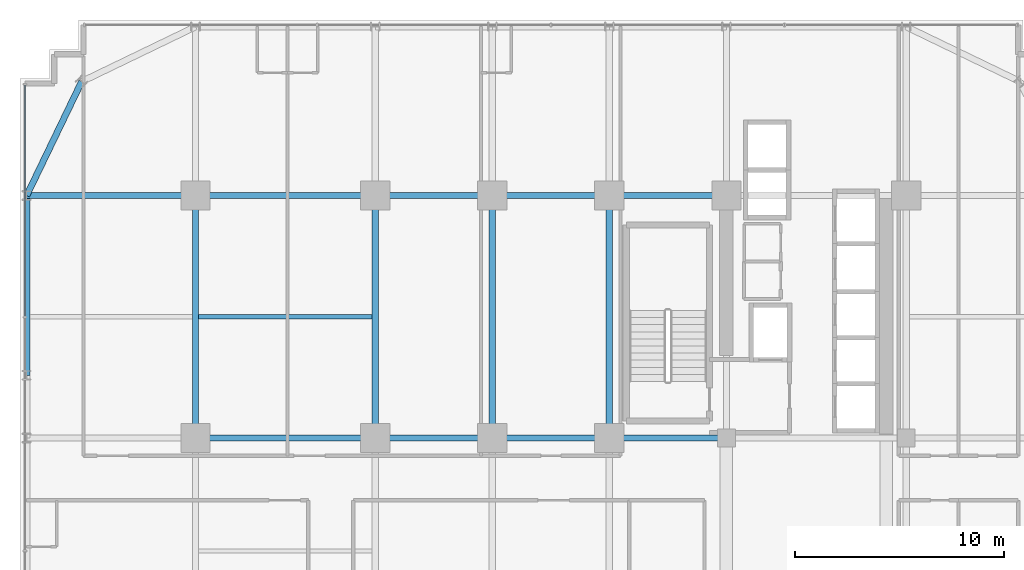
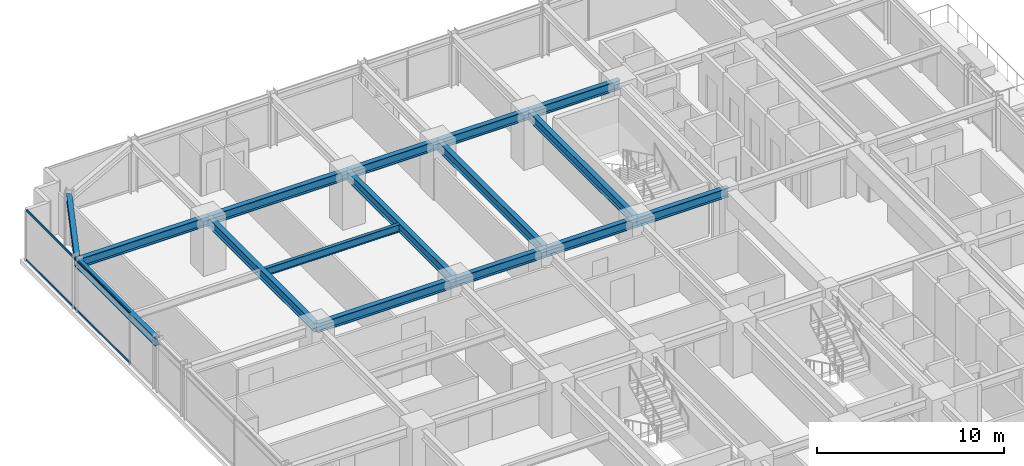
# One storey, part 19 of 36: 16 beams, 2 members, 1 element without a shape of its own.
"""IFC4 building model written with IfcOpenShell, lengths in metres."""

from ifc_helpers import new_model, si_unit, direction, frame, origin, origin_2d, place, context, subcontext, project, spatial, hollow_rectangle, i_section, extrude, source, transform, mapped, material, material_profile, profile_set, type_object, element, aggregate, save


model = new_model("IFC4")

# Units and contexts
model_context = context("Model", 3, precision=1e-05, world=origin(), true_north=direction((0.0, 1.0)))
body_context = subcontext(model_context, "Body", "Model", "MODEL_VIEW")
ifc_project = project(units=[si_unit("LENGTHUNIT", "METRE"), si_unit("AREAUNIT", "SQUARE_METRE"), si_unit("VOLUMEUNIT", "CUBIC_METRE"), si_unit("PLANEANGLEUNIT", "RADIAN"), si_unit("MASSUNIT", "GRAM", prefix="KILO")], contexts=[model_context])

# Site, building, storey
site_placement = place(None, origin())
site = spatial("IfcSite", under=ifc_project, at=site_placement, CompositionType="ELEMENT")
building_placement = place(site_placement, origin())
building = spatial("IfcBuilding", under=site, at=building_placement, Name="Nahalor Promenade Grand Hotel", CompositionType="ELEMENT")
storey_placement = place(building_placement, frame((0.0, 0.0, 72.550048828125)))
storey = spatial("IfcBuildingStorey", under=building, at=storey_placement, Name="L17", CompositionType="ELEMENT", Elevation=72.550048828125)

# Beams
ifc_material_1 = material(Name="Steel S355JR", Category="steel")
ifc_material_profile_1 = material_profile(ifc_material_1, i_section(OverallWidth=0.3, OverallDepth=0.6, WebThickness=0.0155, FlangeThickness=0.03, at=origin_2d()), Name="HEB 600")
ifc_profile_set_1 = profile_set([ifc_material_profile_1], Name="Steel S355JR")
beam_type_1 = type_object("IfcBeamType", Name="Beam-Girder-HEB600", PredefinedType="BEAM", material=ifc_profile_set_1)
shared_shape_1 = source(origin(), body_context, "Body", "SweptSolid", [
    extrude(i_section(OverallWidth=0.3, OverallDepth=0.6, WebThickness=0.0155, FlangeThickness=0.03, at=origin_2d()), origin(), (0.0, 0.0, 1.0), 8.60009765625),
])
for number, where, z_axis, x_axis, name in (
    (1, (-17.0, 5.39990234375, 3.070068359375), (1.0, 0.0, 0.0), (0.0, 1.0, 0.0), "BM-L17-GX-2-1"),
    (2, (-17.0, 17.0, 3.070068359375), (1.0, 0.0, 0.0), (0.0, 1.0, 0.0), "BM-L17-GX-3-1"),
):
    element("IfcBeam", number, at=place(storey_placement, frame(where, z_axis=z_axis, x_axis=x_axis)), inside=storey, type_object=beam_type_1, Name=name, PredefinedType="BEAM", context=body_context, shape_type="MappedRepresentation", body=[
        mapped(shared_shape_1, transform((0.0, 0.0, 0.0), scale=1.0)),
    ])
shared_shape_2 = source(origin(), body_context, "Body", "SweptSolid", [
    extrude(i_section(OverallWidth=0.3, OverallDepth=0.6, WebThickness=0.0155, FlangeThickness=0.03, at=origin_2d()), origin(), (0.0, 0.0, 1.0), 5.599853515625),
])
for number, where, z_axis, x_axis, name in (
    (3, (-8.39990234375, 5.39990234375, 3.070068359375), (1.0, 0.0, 0.0), (0.0, 1.0, 0.0), "BM-L17-GX-2-2"),
    (4, (2.800048828125, 5.39990234375, 3.070068359375), (1.0, 0.0, 0.0), (0.0, 1.0, 0.0), "BM-L17-GX-2-4"),
    (5, (-8.39990234375, 17.0, 3.070068359375), (1.0, 0.0, 0.0), (0.0, 1.0, 0.0), "BM-L17-GX-3-2"),
    (6, (2.800048828125, 17.0, 3.070068359375), (1.0, 0.0, 0.0), (0.0, 1.0, 0.0), "BM-L17-GX-3-4"),
):
    element("IfcBeam", number, at=place(storey_placement, frame(where, z_axis=z_axis, x_axis=x_axis)), inside=storey, type_object=beam_type_1, Name=name, PredefinedType="BEAM", context=body_context, shape_type="MappedRepresentation", body=[
        mapped(shared_shape_2, transform((0.0, 0.0, 0.0), scale=1.0)),
    ])
shared_shape_3 = source(origin(), body_context, "Body", "SweptSolid", [
    extrude(i_section(OverallWidth=0.3, OverallDepth=0.6, WebThickness=0.0155, FlangeThickness=0.03, at=origin_2d()), origin(), (0.0, 0.0, 1.0), 5.60009765625),
])
for number, where, z_axis, x_axis, name in (
    (7, (-2.800048828125, 5.39990234375, 3.070068359375), (1.0, 0.0, 0.0), (0.0, 1.0, 0.0), "BM-L17-GX-2-3"),
    (8, (-2.800048828125, 17.0, 3.070068359375), (1.0, 0.0, 0.0), (0.0, 1.0, 0.0), "BM-L17-GX-3-3"),
):
    element("IfcBeam", number, at=place(storey_placement, frame(where, z_axis=z_axis, x_axis=x_axis)), inside=storey, type_object=beam_type_1, Name=name, PredefinedType="BEAM", context=body_context, shape_type="MappedRepresentation", body=[
        mapped(shared_shape_3, transform((0.0, 0.0, 0.0), scale=1.0)),
    ])
shared_shape_4 = source(origin(), body_context, "Body", "SweptSolid", [
    extrude(i_section(OverallWidth=0.3, OverallDepth=0.6, WebThickness=0.0155, FlangeThickness=0.03, at=origin_2d()), origin(), (0.0, 0.0, 1.0), 11.60009765625),
])
for number, where, z_axis, x_axis, name in (
    (9, (-17.0, 5.39990234375, 3.070068359375), (0.0, 1.0, 0.0), (-1.0, 0.0, 0.0), "BM-L17-GY-0-3"),
    (10, (-8.39990234375, 5.39990234375, 3.070068359375), (0.0, 1.0, 0.0), (-1.0, 0.0, 0.0), "BM-L17-GY-1-3"),
    (11, (-2.800048828125, 5.39990234375, 3.070068359375), (0.0, 1.0, 0.0), (-1.0, 0.0, 0.0), "BM-L17-GY-2-3"),
    (12, (2.800048828125, 5.39990234375, 3.070068359375), (0.0, 1.0, 0.0), (-1.0, 0.0, 0.0), "BM-L17-GY-3-3"),
):
    element("IfcBeam", number, at=place(storey_placement, frame(where, z_axis=z_axis, x_axis=x_axis)), inside=storey, type_object=beam_type_1, Name=name, PredefinedType="BEAM", context=body_context, shape_type="MappedRepresentation", body=[
        mapped(shared_shape_4, transform((0.0, 0.0, 0.0), scale=1.0)),
    ])
ifc_material_profile_2 = material_profile(ifc_material_1, i_section(OverallWidth=0.3, OverallDepth=0.5, WebThickness=0.0145, FlangeThickness=0.028, at=origin_2d()), Name="HEB 500")
ifc_profile_set_2 = profile_set([ifc_material_profile_2], Name="Steel S355JR")
beam_type_2 = type_object("IfcBeamType", Name="Beam-Spandrel-HEB500", PredefinedType="SPANDREL", material=ifc_profile_set_2)
shared_shape_5 = source(origin(), body_context, "Body", "SweptSolid", [
    extrude(i_section(OverallWidth=0.3, OverallDepth=0.5, WebThickness=0.0145, FlangeThickness=0.028, at=origin_2d()), origin(), (0.0, 0.0, 1.0), 8.60009765625),
])
beam_1_placement = place(storey_placement, frame((-25.080078125, 8.39990234375, 3.119873046875), z_axis=(0.0, 1.0, 0.0), x_axis=(-1.0, 0.0, 0.0)))
element("IfcBeam", 13, at=beam_1_placement, inside=storey, type_object=beam_type_2, Name="BM-L17-SP-W-4", PredefinedType="SPANDREL", context=body_context, shape_type="MappedRepresentation", body=[
    mapped(shared_shape_5, transform((0.0, 0.0, 0.0), scale=1.0)),
])
ifc_material_profile_3 = material_profile(ifc_material_1, i_section(OverallWidth=0.2, OverallDepth=0.5, WebThickness=0.0102, FlangeThickness=0.016, at=origin_2d()), Name="IPE 500")
ifc_profile_set_3 = profile_set([ifc_material_profile_3], Name="Steel S355JR")
beam_type_3 = type_object("IfcBeamType", Name="Beam-Joist-IPE500", PredefinedType="JOIST", material=ifc_profile_set_3)
shared_shape_6 = source(origin(), body_context, "Body", "SweptSolid", [
    extrude(i_section(OverallWidth=0.2, OverallDepth=0.5, WebThickness=0.0102, FlangeThickness=0.016, at=origin_2d()), origin(), (0.0, 0.0, 1.0), 8.300048828125),
])
beam_2_placement = place(storey_placement, frame((-16.85009765625, 11.199951171875, 3.119873046875), z_axis=(1.0, 0.0, 0.0), x_axis=(0.0, 1.0, 0.0)))
element("IfcBeam", 14, at=beam_2_placement, inside=storey, type_object=beam_type_3, Name="BM-L17-JSW-1-1", PredefinedType="JOIST", context=body_context, shape_type="MappedRepresentation", body=[
    mapped(shared_shape_6, transform((0.0, 0.0, 0.0), scale=1.0)),
])
shared_shape_7 = source(origin(), body_context, "Body", "SweptSolid", [
    extrude(i_section(OverallWidth=0.3, OverallDepth=0.6, WebThickness=0.0155, FlangeThickness=0.03, at=origin_2d()), origin(), (0.0, 0.0, 1.0), 8.080078125),
])
beam_3_placement = place(storey_placement, frame((-25.080078125, 17.0, 3.070068359375), z_axis=(1.0, 0.0, 0.0), x_axis=(0.0, 1.0, 0.0)))
element("IfcBeam", 15, at=beam_3_placement, inside=storey, type_object=beam_type_1, Name="BM-L17-GX-3-0", PredefinedType="BEAM", context=body_context, shape_type="MappedRepresentation", body=[
    mapped(shared_shape_7, transform((0.0, 0.0, 0.0), scale=1.0)),
])
shared_shape_8 = source(origin(), body_context, "Body", "SweptSolid", [
    extrude(i_section(OverallWidth=0.3, OverallDepth=0.5, WebThickness=0.0145, FlangeThickness=0.028, at=origin_2d()), origin(), (0.0, 0.0, 1.0), 6.051513671875),
])
beam_4_placement = place(storey_placement, frame((-22.449951171875, 22.449951171875, 3.119873046875), z_axis=(-0.434630596492, -0.900608818852, 0.0), x_axis=(0.900608818852, -0.434630596492, 0.0)))
element("IfcBeam", 16, at=beam_4_placement, inside=storey, type_object=beam_type_2, Name="BM-L17-SPC-NW-2", PredefinedType="SPANDREL", context=body_context, shape_type="MappedRepresentation", body=[
    mapped(shared_shape_8, transform((0.0, 0.0, 0.0), scale=1.0)),
])

# Curtain wall, members
ifc_material_2 = material(Name="Anodised Bronze Aluminium EN AW-6063 T6", Category="aluminium")
curtain_wall_type = type_object("IfcCurtainWallType", Name="CW2 Typical Hotel Flush Bronze Unitised Curtain Wall", PredefinedType="USERDEFINED", material=ifc_material_2)
curtain_wall_placement = place(storey_placement, origin())
curtain_wall = element("IfcCurtainWall", 17, at=curtain_wall_placement, inside=storey, type_object=curtain_wall_type, Name="L17 Curtain Wall CW-L17-W-1", ObjectType="UNITISED_CURTAIN_WALL", PredefinedType="USERDEFINED")
ifc_material_profile_4 = material_profile(ifc_material_2, hollow_rectangle(XDim=0.065, YDim=0.13, WallThickness=0.004, at=origin_2d()), Name="CWT 65x130x4")
ifc_profile_set_4 = profile_set([ifc_material_profile_4], Name="Anodised Bronze Aluminium EN AW-6063 T6")
member_type = type_object("IfcMemberType", Name="CWT2 Typical Bronze Transom 65x130", PredefinedType="USERDEFINED", material=ifc_profile_set_4)
shared_shape_9 = source(origin(), body_context, "Body", "SweptSolid", [
    extrude(hollow_rectangle(XDim=0.065, YDim=0.13, WallThickness=0.004, at=origin_2d()), origin(), (0.0, 0.0, 1.0), 11.08251953125),
])
member_1_placement = place(storey_placement, frame((-25.159912109375, 11.21240234375, 0.06494140625), z_axis=(0.0, 1.0, 0.0), x_axis=(-1.0, 0.0, 0.0)))
member_1 = element("IfcMember", 18, at=member_1_placement, type_object=member_type, Name="CW-L17-W-1 Transom 3-0", ObjectType="TRANSOM", PredefinedType="USERDEFINED", context=body_context, shape_type="MappedRepresentation", body=[
    mapped(shared_shape_9, transform((0.0, 0.0, 0.0), scale=1.0)),
])
member_2_placement = place(storey_placement, frame((-25.159912109375, 11.21240234375, 3.304931640625), z_axis=(0.0, 1.0, 0.0), x_axis=(-1.0, 0.0, 0.0)))
member_2 = element("IfcMember", 19, at=member_2_placement, type_object=member_type, Name="CW-L17-W-1 Transom 3-1", ObjectType="TRANSOM", PredefinedType="USERDEFINED", context=body_context, shape_type="MappedRepresentation", body=[
    mapped(shared_shape_9, transform((0.0, 0.0, 0.0), scale=1.0)),
])
aggregate(curtain_wall, [member_1, member_2])

save(model, "model.ifc")
